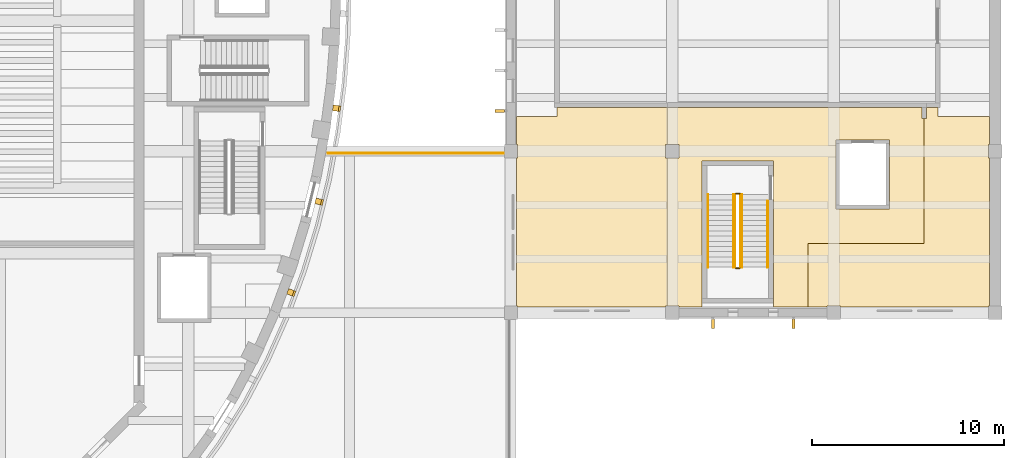
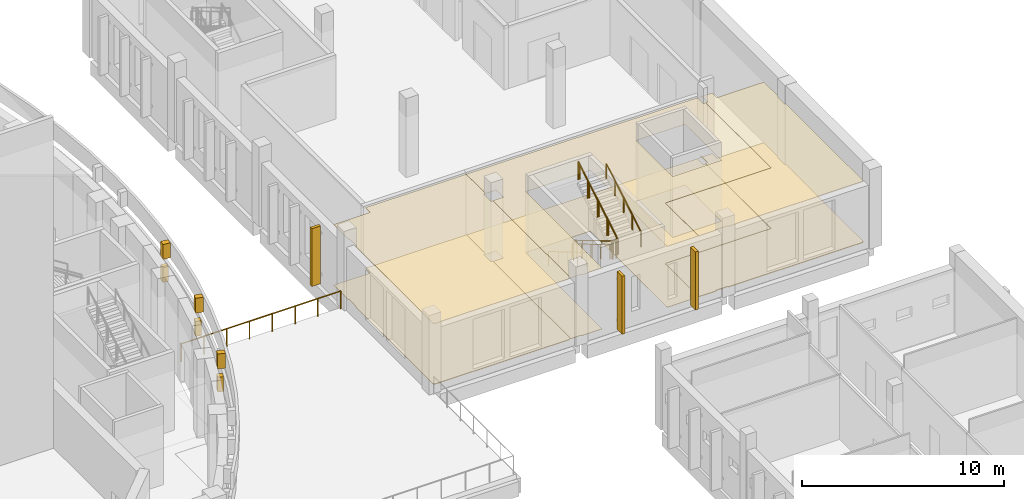
# One storey, part 115 of 119: 15 coverings, 9 railings.
"""IFC4 building model written with IfcOpenShell, lengths in metres."""

import ifcopenshell
import ifcopenshell.guid

model = None  # the IFC model being written
_history = None  # IfcOwnerHistory: only IFC2X3 demands one
_inside = {}  # id of a spatial element -> (the spatial element, [elements in it])
_under = {}  # id of a project, library or spatial element -> (it, [spatial elements below it])
_declared = {}  # id of a project -> (the project, [libraries it declares])
_typed = {}  # id of a type object -> (the type object, [elements of that type])
_made_of = {}  # id of a material, layer set ... -> (it, [elements and type objects made of it])


def new_model(schema):
    """Start an empty IFC model of exactly this schema.

    Asked for "IFC4X3", IfcOpenShell would pick the latest addendum, in which some entities
    have other attributes; the version numbers below select the first issue.
    IFC2X3 requires an IfcOwnerHistory on every rooted entity: one is made here for all.
    """
    global model, _history
    if schema == "IFC4X3":
        model = ifcopenshell.file(schema_version=(4, 3, 0, 0))
    else:
        model = ifcopenshell.file(schema=schema)
    _inside.clear()
    _under.clear()
    _declared.clear()
    _typed.clear()
    _made_of.clear()
    _history = None
    if model.schema == "IFC2X3":
        org = make("IfcOrganization", Name="unknown")
        user = make(
            "IfcPersonAndOrganization",
            ThePerson=make("IfcPerson", FamilyName="unknown"),
            TheOrganization=org,
        )
        app = make(
            "IfcApplication",
            ApplicationDeveloper=org,
            Version="unknown",
            ApplicationFullName="unknown",
            ApplicationIdentifier="unknown",
        )
        _history = make(
            "IfcOwnerHistory",
            OwningUser=user,
            OwningApplication=app,
            ChangeAction="ADDED",
            CreationDate=0,
        )
    return model


def make(cls, **values):
    """One entity of the class cls with the attributes given. An attribute that is None is left unset."""
    return model.create_entity(
        cls, **{name: value for name, value in values.items() if value is not None}
    )


def rooted(cls, **values):
    """An entity with a GlobalId (a new one), such as an element, a storey or a relation."""
    return make(cls, GlobalId=ifcopenshell.guid.new(), OwnerHistory=_history, **values)


def si_unit(unit_type, name, prefix=None):
    """IfcSIUnit, for example si_unit("LENGTHUNIT", "METRE", prefix="MILLI")."""
    return make("IfcSIUnit", UnitType=unit_type, Prefix=prefix, Name=name)


def assignment(units):
    """IfcUnitAssignment: the units of a project."""
    return None if units is None else make("IfcUnitAssignment", Units=units)


def point(xyz):
    """IfcCartesianPoint."""
    return None if xyz is None else make("IfcCartesianPoint", Coordinates=xyz)


def direction(xyz):
    """IfcDirection."""
    return None if xyz is None else make("IfcDirection", DirectionRatios=xyz)


def frame(location, z_axis=None, x_axis=None):
    """IfcAxis2Placement3D, a coordinate frame: its origin and axes. An axis left out is left unset."""
    return make(
        "IfcAxis2Placement3D",
        Location=point(location),
        Axis=direction(z_axis),
        RefDirection=direction(x_axis),
    )


def frame_2d(location, x_axis=None):
    """IfcAxis2Placement2D, a coordinate frame in the plane: its origin and x axis."""
    return make(
        "IfcAxis2Placement2D", Location=point(location), RefDirection=direction(x_axis)
    )


def origin():
    """The frame at (0, 0, 0) with its axes left unset."""
    return frame((0.0, 0.0, 0.0))


def origin_2d():
    """The frame at (0, 0) in the plane with its x axis left unset."""
    return frame_2d((0.0, 0.0))


def place(relative_to, where):
    """IfcLocalPlacement: puts the frame where relative to a parent placement (None: the world)."""
    return make(
        "IfcLocalPlacement", PlacementRelTo=relative_to, RelativePlacement=where
    )


def context(
    kind, dimensions, precision=None, world=None, true_north=None, identifier=None
):
    """IfcGeometricRepresentationContext, for example the 3D "Model" context."""
    return make(
        "IfcGeometricRepresentationContext",
        ContextIdentifier=identifier,
        ContextType=kind,
        CoordinateSpaceDimension=dimensions,
        Precision=precision,
        WorldCoordinateSystem=world,
        TrueNorth=true_north,
    )


def subcontext(parent, identifier, kind, view, scale=None):
    """IfcGeometricRepresentationSubContext, for example "Body" below "Model"."""
    return make(
        "IfcGeometricRepresentationSubContext",
        ContextIdentifier=identifier,
        ContextType=kind,
        ParentContext=parent,
        TargetScale=scale,
        TargetView=view,
    )


def project(units=None, contexts=None):
    """IfcProject with its units and contexts."""
    return rooted(
        "IfcProject",
        Name="project",
        RepresentationContexts=contexts,
        UnitsInContext=assignment(units),
    )


def spatial(cls, under=None, at=None, **own):
    """A site, building, storey or space (cls), placed at a placement, below another one or the project."""
    s = rooted(cls, ObjectPlacement=at, **own)
    if under is not None:
        _under.setdefault(under.id(), (under, []))[1].append(s)
    return s


def polyline(points):
    """IfcPolyline through the points."""
    return make("IfcPolyline", Points=[point(p) for p in points])


def profile(cls, at=None, kind="AREA", **sizes):
    """A parametric profile (cls). Its sizes go by their IFC names, for example OverallWidth=200.0."""
    return make(cls, ProfileType=kind, Position=at, **sizes)


def rectangle(**sizes):
    """IfcRectangleProfileDef."""
    return profile("IfcRectangleProfileDef", **sizes)


def circle(**sizes):
    """IfcCircleProfileDef."""
    return profile("IfcCircleProfileDef", **sizes)


def outline(outer, holes=None, kind="AREA"):
    """IfcArbitraryClosedProfileDef: a profile drawn as a closed curve; with holes, ...WithVoids."""
    if holes is None:
        return make("IfcArbitraryClosedProfileDef", ProfileType=kind, OuterCurve=outer)
    return make(
        "IfcArbitraryProfileDefWithVoids",
        ProfileType=kind,
        OuterCurve=outer,
        InnerCurves=holes,
    )


def extrude(swept, where, along, depth):
    """IfcExtrudedAreaSolid: the profile swept, set in the frame where, extruded along a direction by depth."""
    return make(
        "IfcExtrudedAreaSolid",
        SweptArea=swept,
        Position=where,
        ExtrudedDirection=direction(along),
        Depth=depth,
    )


def shape(context_of_items, identifier, shape_type, items):
    """IfcShapeRepresentation: the items that make up one representation, for example the "Body"."""
    return make(
        "IfcShapeRepresentation",
        ContextOfItems=context_of_items,
        RepresentationIdentifier=identifier,
        RepresentationType=shape_type,
        Items=items,
    )


def material(Name=None, Category=None):
    """IfcMaterial."""
    return make("IfcMaterial", Name=Name, Category=Category)


def layer(
    of_material, thickness, ventilated=None, Name=None, Category=None, Priority=None
):
    """IfcMaterialLayer: one layer of a wall or slab, of a material (None: an air gap)."""
    return make(
        "IfcMaterialLayer",
        Material=of_material,
        LayerThickness=thickness,
        IsVentilated=ventilated,
        Name=Name,
        Category=Category,
        Priority=Priority,
    )


def layer_set(layers, Name=None):
    """IfcMaterialLayerSet."""
    return make("IfcMaterialLayerSet", MaterialLayers=layers, LayerSetName=Name)


def made_of(thing, what):
    """Note that an element or type object is made of a material, layer set ...; save() writes the relation."""
    if what is not None:
        _made_of.setdefault(what.id(), (what, []))[1].append(thing)
    return thing


def type_object(cls, material=None, **own):
    """A type object (cls), such as IfcWallType, which elements share."""
    return made_of(rooted(cls, **own), material)


def element(
    cls,
    number,
    at=None,
    inside=None,
    cuts=None,
    type_object=None,
    material=None,
    context=None,
    identifier="Body",
    shape_type=None,
    held_by="IfcProductDefinitionShape",
    body=None,
    shapes=None,
    **own,
):
    """One element of the class cls, such as IfcWall. Its Tag is "e" and its number.

    at: its placement. inside: the storey or other place that contains it. cuts: it is an
    opening in that element (IfcRelVoidsElement). A single representation is given by context,
    identifier, shape_type and body (its items); several are given by shapes. held_by: the class
    of the entity that holds the representations. save() writes the other relations.
    """
    e = rooted(cls, Tag="e%d" % number, ObjectPlacement=at, **own)
    if body is not None:
        shapes = [shape(context, identifier, shape_type, body)]
    if shapes is not None:
        e.Representation = make(held_by, Representations=shapes)
    if inside is not None:
        _inside.setdefault(inside.id(), (inside, []))[1].append(e)
    if cuts is not None:
        rooted(
            "IfcRelVoidsElement", RelatingBuildingElement=cuts, RelatedOpeningElement=e
        )
    if type_object is not None:
        _typed.setdefault(type_object.id(), (type_object, []))[1].append(e)
    return made_of(e, material)


def aggregate(whole, parts):
    """IfcRelAggregates: a whole, such as a stair, and the parts it consists of."""
    return rooted("IfcRelAggregates", RelatingObject=whole, RelatedObjects=parts)


def save(model, path):
    """Write the relations noted so far, then the file.

    IfcRelAggregates (storeys below a building ...), IfcRelContainedInSpatialStructure (elements
    in a storey), IfcRelDefinesByType, IfcRelAssociatesMaterial and IfcRelDeclares: one each for
    every whole, place, type object, material and project.
    """
    for whole, parts in _under.values():
        aggregate(whole, parts)
    for where, things in _inside.values():
        rooted(
            "IfcRelContainedInSpatialStructure",
            RelatedElements=things,
            RelatingStructure=where,
        )
    for kind, things in _typed.values():
        rooted("IfcRelDefinesByType", RelatedObjects=things, RelatingType=kind)
    for what, things in _made_of.values():
        rooted("IfcRelAssociatesMaterial", RelatedObjects=things, RelatingMaterial=what)
    for by, libraries in _declared.values():
        rooted("IfcRelDeclares", RelatingContext=by, RelatedDefinitions=libraries)
    model.write(path)


model = new_model("IFC4")

# Units and contexts
model_context = context("Model", 3, precision=1e-05, world=origin(), true_north=direction((0.0, 1.0)))
body_context = subcontext(model_context, "Body", "Model", "MODEL_VIEW")
ifc_project = project(units=[si_unit("LENGTHUNIT", "METRE"), si_unit("AREAUNIT", "SQUARE_METRE"), si_unit("VOLUMEUNIT", "CUBIC_METRE"), si_unit("PLANEANGLEUNIT", "RADIAN"), si_unit("MASSUNIT", "GRAM", prefix="KILO")], contexts=[model_context])

# Site, building, storey
site_placement = place(None, origin())
site = spatial("IfcSite", under=ifc_project, at=site_placement, CompositionType="ELEMENT")
building_placement = place(site_placement, origin())
building = spatial("IfcBuilding", under=site, at=building_placement, Name="Larchfold Concert Hall", CompositionType="ELEMENT")
storey_placement = place(building_placement, frame((0.0, 0.0, 4.800048828125)))
storey = spatial("IfcBuildingStorey", under=building, at=storey_placement, Name="L01", CompositionType="ELEMENT", Elevation=4.800048828125)

# Coverings
ifc_material_1 = material(Name="Mineral fibre ceiling tile")
ifc_layer_1 = layer(ifc_material_1, 0.02001953125)
ifc_layer_set_1 = layer_set([ifc_layer_1], Name="Mineral fibre ceiling tile")
covering_type_1 = type_object("IfcCoveringType", Name="Ceiling mineral fibre tile 20", PredefinedType="CEILING", material=ifc_layer_set_1)
covering_1_placement = place(storey_placement, frame((0.0, 0.0, 3.679931640625)))
element("IfcCovering", 1, at=covering_1_placement, inside=storey, type_object=covering_type_1, Name="Ceiling Corridor 04", PredefinedType="CEILING", context=body_context, shape_type="SweptSolid", body=[
    extrude(outline(polyline([(86.14990234375, 75.699951171875), (89.85009765625, 75.699951171875), (89.858154296875, 68.10009765625), (91.649169921875, 68.10009765625), (91.649658203125, 71.40087890625), (97.698974609375, 71.40087890625), (97.698974609375, 77.905029296875), (97.57373046875, 77.9052734375), (97.57470703125, 78.47021484375), (97.698974609375, 78.469970703125), (97.698974609375, 78.47412109375), (84.35009765625, 78.487060546875), (84.350341796875, 76.550048828125), (84.9501953125, 76.550048828125), (84.9501953125, 75.849853515625), (84.350341796875, 75.849853515625), (84.350830078125, 68.150146484375), (84.9501953125, 68.150146484375), (84.9501953125, 68.10009765625), (86.141845703125, 68.10009765625), (86.14990234375, 75.699951171875)]), holes=[polyline([(93.10009765625, 73.199951171875), (93.10009765625, 76.800048828125), (95.89990234375, 76.800048828125), (95.89990234375, 73.199951171875), (93.10009765625, 73.199951171875)])]), origin(), (0.0, 0.0, 1.0), 0.02001953125),
])
ifc_material_2 = material(Name="Plasterboard ceiling lining")
ifc_layer_2 = layer(ifc_material_2, 0.030029296875)
ifc_layer_set_2 = layer_set([ifc_layer_2], Name="Plasterboard ceiling lining")
covering_type_2 = type_object("IfcCoveringType", Name="Ceiling suspended plasterboard 30", PredefinedType="CEILING", material=ifc_layer_set_2)
covering_2_placement = place(storey_placement, frame((0.0, 0.0, 3.669921875)))
element("IfcCovering", 2, at=covering_2_placement, inside=storey, type_object=covering_type_2, Name="Ceiling Chamber Hall Foyer", PredefinedType="CEILING", context=body_context, shape_type="SweptSolid", body=[
    extrude(outline(polyline([(76.550048828125, 68.10009765625), (84.25, 68.10009765625), (84.25, 68.150146484375), (84.349853515625, 68.150146484375), (84.35693359375, 75.849853515625), (84.25, 75.849853515625), (84.25, 76.550048828125), (84.357421875, 76.550048828125), (84.359375, 78.487060546875), (84.349853515625, 78.487060546875), (84.35009765625, 78.607666015625), (84.34912109375, 78.47607421875), (78.596435546875, 78.47607421875), (78.588134765625, 78.0), (76.5, 78.0), (76.5, 76.550048828125), (76.550048828125, 76.550048828125), (76.550048828125, 75.849853515625), (76.5, 75.849853515625), (76.5, 68.150146484375), (76.550048828125, 68.150146484375), (76.550048828125, 68.10009765625)])), origin(), (0.0, 0.0, 1.0), 0.030029296875),
])
covering_3_placement = place(storey_placement, frame((0.0, 0.0, 3.669921875)))
element("IfcCovering", 3, at=covering_3_placement, inside=storey, type_object=covering_type_2, Name="Ceiling Chamber Hall Foyer 01", PredefinedType="CEILING", context=body_context, shape_type="SweptSolid", body=[
    extrude(outline(polyline([(97.699951171875, 77.905029296875), (97.699951171875, 71.39990234375), (91.650146484375, 71.39990234375), (91.650146484375, 68.10009765625), (92.64990234375, 68.10009765625), (92.64990234375, 68.150146484375), (93.35009765625, 68.150146484375), (93.35009765625, 68.10009765625), (101.0498046875, 68.10009765625), (101.0498046875, 68.150146484375), (101.099853515625, 68.150146484375), (101.099853515625, 75.849853515625), (101.0498046875, 75.849853515625), (101.0498046875, 76.550048828125), (101.099853515625, 76.550048828125), (101.099853515625, 78.0), (98.411865234375, 78.0), (98.408447265625, 78.475830078125), (97.8251953125, 78.47509765625), (97.823974609375, 78.611572265625), (97.82373046875, 78.473876953125), (97.699951171875, 78.473876953125), (97.699951171875, 78.469970703125), (97.82470703125, 78.4697265625), (97.82373046875, 77.90478515625), (97.699951171875, 77.905029296875)])), origin(), (0.0, 0.0, 1.0), 0.030029296875),
])
ifc_material_3 = material(Name="Polished terrazzo")
ifc_layer_3 = layer(ifc_material_3, 0.0400390625)
ifc_layer_set_3 = layer_set([ifc_layer_3], Name="Polished terrazzo")
covering_type_3 = type_object("IfcCoveringType", Name="Floor finish terrazzo 40", PredefinedType="FLOORING", material=ifc_layer_set_3)
covering_4_placement = place(storey_placement, origin())
element("IfcCovering", 4, at=covering_4_placement, inside=storey, type_object=covering_type_3, Name="Floor finish Chamber Hall Foyer", PredefinedType="FLOORING", context=body_context, shape_type="SweptSolid", body=[
    extrude(outline(polyline([(76.550048828125, 68.10009765625), (84.25, 68.10009765625), (84.25, 68.150146484375), (84.349853515625, 68.150146484375), (84.35693359375, 75.849853515625), (84.25, 75.849853515625), (84.25, 76.550048828125), (84.357421875, 76.550048828125), (84.359375, 78.487060546875), (84.349853515625, 78.487060546875), (84.35009765625, 78.607666015625), (84.34912109375, 78.47607421875), (78.596435546875, 78.47607421875), (78.588134765625, 78.0), (76.5, 78.0), (76.5, 76.550048828125), (76.550048828125, 76.550048828125), (76.550048828125, 75.849853515625), (76.5, 75.849853515625), (76.5, 68.150146484375), (76.550048828125, 68.150146484375), (76.550048828125, 68.10009765625)])), origin(), (0.0, 0.0, 1.0), 0.0400390625),
])
covering_5_placement = place(storey_placement, origin())
element("IfcCovering", 5, at=covering_5_placement, inside=storey, type_object=covering_type_3, Name="Floor finish Chamber Hall Foyer 01", PredefinedType="FLOORING", context=body_context, shape_type="SweptSolid", body=[
    extrude(outline(polyline([(97.699951171875, 77.905029296875), (97.699951171875, 71.39990234375), (91.650146484375, 71.39990234375), (91.650146484375, 68.10009765625), (92.64990234375, 68.10009765625), (92.64990234375, 68.150146484375), (93.35009765625, 68.150146484375), (93.35009765625, 68.10009765625), (101.0498046875, 68.10009765625), (101.0498046875, 68.150146484375), (101.099853515625, 68.150146484375), (101.099853515625, 75.849853515625), (101.0498046875, 75.849853515625), (101.0498046875, 76.550048828125), (101.099853515625, 76.550048828125), (101.099853515625, 78.0), (98.411865234375, 78.0), (98.408447265625, 78.475830078125), (97.8251953125, 78.47509765625), (97.823974609375, 78.611572265625), (97.82373046875, 78.473876953125), (97.699951171875, 78.473876953125), (97.699951171875, 78.469970703125), (97.82470703125, 78.4697265625), (97.82373046875, 77.90478515625), (97.699951171875, 77.905029296875)])), origin(), (0.0, 0.0, 1.0), 0.0400390625),
])
ifc_material_4 = material(Name="Linoleum sheet")
ifc_layer_4 = layer(ifc_material_4, 0.02001953125)
ifc_layer_set_4 = layer_set([ifc_layer_4], Name="Linoleum sheet")
covering_type_4 = type_object("IfcCoveringType", Name="Floor finish vinyl 20", PredefinedType="FLOORING", material=ifc_layer_set_4)
covering_6_placement = place(storey_placement, origin())
element("IfcCovering", 6, at=covering_6_placement, inside=storey, type_object=covering_type_4, Name="Floor finish Corridor 04", PredefinedType="FLOORING", context=body_context, shape_type="SweptSolid", body=[
    extrude(outline(polyline([(86.14990234375, 75.699951171875), (89.85009765625, 75.699951171875), (89.858154296875, 68.10009765625), (91.649169921875, 68.10009765625), (91.649658203125, 71.40087890625), (97.698974609375, 71.40087890625), (97.698974609375, 77.905029296875), (97.57373046875, 77.9052734375), (97.57470703125, 78.47021484375), (97.698974609375, 78.469970703125), (97.698974609375, 78.47412109375), (84.35009765625, 78.487060546875), (84.350341796875, 76.550048828125), (84.9501953125, 76.550048828125), (84.9501953125, 75.849853515625), (84.350341796875, 75.849853515625), (84.350830078125, 68.150146484375), (84.9501953125, 68.150146484375), (84.9501953125, 68.10009765625), (86.141845703125, 68.10009765625), (86.14990234375, 75.699951171875)]), holes=[polyline([(93.10009765625, 73.199951171875), (93.10009765625, 76.800048828125), (95.89990234375, 76.800048828125), (95.89990234375, 73.199951171875), (93.10009765625, 73.199951171875)])]), origin(), (0.0, 0.0, 1.0), 0.02001953125),
])
ifc_material_5 = material(Name="Glulam GL30c", Category="wood")
ifc_layer_5 = layer(ifc_material_5, 0.159912109375)
ifc_layer_set_5 = layer_set([ifc_layer_5], Name="Glulam GL30c")
covering_type_5 = type_object("IfcCoveringType", Name="Glulam fin 160x500", PredefinedType="CLADDING", material=ifc_layer_set_5)
covering_7_placement = place(storey_placement, frame((0.0, 0.0, 0.199951171875)))
element("IfcCovering", 7, at=covering_7_placement, inside=storey, type_object=covering_type_5, Name="Glulam fin FN-L01-042", PredefinedType="CLADDING", context=body_context, shape_type="SweptSolid", body=[
    extrude(outline(polyline([(75.875, 78.219970703125), (75.875, 78.3798828125), (75.375, 78.3798828125), (75.375, 78.219970703125), (75.875, 78.219970703125)])), origin(), (0.0, 0.0, 1.0), 3.5),
])
covering_8_placement = place(storey_placement, frame((0.0, 0.0, 0.199951171875)))
element("IfcCovering", 8, at=covering_8_placement, inside=storey, type_object=covering_type_5, Name="Glulam fin FN-L01-045", PredefinedType="CLADDING", context=body_context, shape_type="SweptSolid", body=[
    extrude(outline(polyline([(86.780029296875, 66.97509765625), (86.780029296875, 67.47509765625), (86.6201171875, 67.47509765625), (86.6201171875, 66.97509765625), (86.780029296875, 66.97509765625)])), origin(), (0.0, 0.0, 1.0), 3.5),
])
covering_9_placement = place(storey_placement, frame((0.0, 0.0, 0.199951171875)))
element("IfcCovering", 9, at=covering_9_placement, inside=storey, type_object=covering_type_5, Name="Glulam fin FN-L01-046", PredefinedType="CLADDING", context=body_context, shape_type="SweptSolid", body=[
    extrude(outline(polyline([(90.97998046875, 66.97509765625), (90.97998046875, 67.47509765625), (90.820068359375, 67.47509765625), (90.820068359375, 66.97509765625), (90.97998046875, 66.97509765625)])), origin(), (0.0, 0.0, 1.0), 3.5),
])
ifc_material_6 = material(Name="Galvanised steel bracket", Category="steel")
ifc_layer_6 = layer(ifc_material_6, 0.300048828125)
ifc_layer_set_6 = layer_set([ifc_layer_6], Name="Galvanised steel bracket")
covering_type_6 = type_object("IfcCoveringType", Name="Ring support bracket", PredefinedType="CLADDING", material=ifc_layer_set_6)
for number, where, z_axis, x_axis, name in (
    (10, (64.72607421875, 68.86669921875, 3.35009765625), (0.0, 0.0, 1.0), (0.937177411386, -0.348853120364, 0.0), "Ring bracket BR-R01-30"),
    (11, (66.174072265625, 73.590087890625, 3.35009765625), (0.0, 0.0, 1.0), (0.971411707345, -0.237401126438, 0.0), "Ring bracket BR-R01-31"),
    (12, (67.082275390625, 78.44384765625, 3.35009765625), (0.0, 0.0, 1.0), (0.991449907596, -0.130487856632, 0.0), "Ring bracket BR-R01-32"),
):
    element("IfcCovering", number, at=place(storey_placement, frame(where, z_axis=z_axis, x_axis=x_axis)), inside=storey, type_object=covering_type_6, Name=name, PredefinedType="CLADDING", context=body_context, shape_type="SweptSolid", body=[
        extrude(rectangle(XDim=0.300048828125, YDim=0.300048828125, at=origin_2d()), origin(), (0.0, 0.0, 1.0), 0.89990234375),
    ])
for number, where, z_axis, x_axis, name in (
    (13, (64.77294921875, 68.849365234375, 4.75), (0.0, 0.0, 1.0), (0.937177411386, -0.348853120364, 0.0), "Ring bracket BR-R02-30"),
    (14, (66.22265625, 73.578369140625, 4.75), (0.0, 0.0, 1.0), (0.971411707345, -0.237401126438, 0.0), "Ring bracket BR-R02-31"),
    (15, (67.1318359375, 78.4375, 4.75), (0.0, 0.0, 1.0), (0.991449907596, -0.130487856632, 0.0), "Ring bracket BR-R02-32"),
):
    element("IfcCovering", number, at=place(storey_placement, frame(where, z_axis=z_axis, x_axis=x_axis)), inside=storey, type_object=covering_type_6, Name=name, PredefinedType="CLADDING", context=body_context, shape_type="SweptSolid", body=[
        extrude(rectangle(XDim=0.39990234375, YDim=0.300048828125, at=origin_2d()), origin(), (0.0, 0.0, 1.0), 0.89990234375),
    ])

# Railings
ifc_material_7 = material(Name="Graphite painted steel guard", Category="steel")
railing_type_1 = type_object("IfcRailingType", Name="Roof guard 1100", PredefinedType="GUARDRAIL", material=ifc_material_7)
railing_1_placement = place(storey_placement, frame((66.681640625, 76.099853515625, 0.0)))
element("IfcRailing", 16, at=railing_1_placement, inside=storey, type_object=railing_type_1, Name="Terrace guard GR0012", PredefinedType="GUARDRAIL", context=body_context, shape_type="SweptSolid", body=[
    extrude(circle(Radius=0.02392578125, at=origin_2d()), frame((0.0, 0.0, 1.076171875), z_axis=(1.0, 0.0, 0.0), x_axis=(0.0, 1.0, 0.0)), (0.0, 0.0, 1.0), 9.118408203125),
    extrude(circle(Radius=0.02099609375, at=origin_2d()), origin(), (0.0, 0.0, 1.0), 1.052001953125),
    extrude(circle(Radius=0.02099609375, at=origin_2d()), frame((1.302734375, 0.0, 0.0)), (0.0, 0.0, 1.0), 1.052001953125),
    extrude(circle(Radius=0.02099609375, at=origin_2d()), frame((2.605224609375, 0.0, 0.0)), (0.0, 0.0, 1.0), 1.052001953125),
    extrude(circle(Radius=0.02099609375, at=origin_2d()), frame((3.907958984375, 0.0, 0.0)), (0.0, 0.0, 1.0), 1.052001953125),
    extrude(circle(Radius=0.02099609375, at=origin_2d()), frame((5.21044921875, 0.0, 0.0)), (0.0, 0.0, 1.0), 1.052001953125),
    extrude(circle(Radius=0.02099609375, at=origin_2d()), frame((6.51318359375, 0.0, 0.0)), (0.0, 0.0, 1.0), 1.052001953125),
    extrude(circle(Radius=0.02099609375, at=origin_2d()), frame((7.815673828125, 0.0, 0.0)), (0.0, 0.0, 1.0), 1.052001953125),
    extrude(circle(Radius=0.02099609375, at=origin_2d()), frame((9.118408203125, 0.0, 0.0)), (0.0, 0.0, 1.0), 1.052001953125),
])
ifc_material_8 = material(Name="Stainless steel balustrade", Category="steel")
railing_type_2 = type_object("IfcRailingType", Name="Stair guard 1100", PredefinedType="GUARDRAIL", material=ifc_material_8)
railing_2_placement = place(storey_placement, frame((87.849853515625, 73.949951171875, 0.159912109375)))
element("IfcRailing", 17, at=railing_2_placement, inside=storey, type_object=railing_type_2, Name="Guard GR0063", PredefinedType="GUARDRAIL", context=body_context, shape_type="SweptSolid", body=[
    extrude(circle(Radius=0.02392578125, at=origin_2d()), frame((0.0, 0.0, 1.076171875), z_axis=(0.0, -0.860294241299, 0.509797821089), x_axis=(1.0, 0.0, 0.0)), (0.0, 0.0, 1.0), 4.393798828125),
    extrude(circle(Radius=0.02099609375, at=origin_2d()), origin(), (0.0, 0.0, 1.0), 1.052001953125),
    extrude(circle(Radius=0.02099609375, at=origin_2d()), frame((0.0, -0.945068359375, 0.56005859375)), (0.0, 0.0, 1.0), 1.052001953125),
    extrude(circle(Radius=0.02099609375, at=origin_2d()), frame((0.0, -1.89013671875, 1.1201171875)), (0.0, 0.0, 1.0), 1.052001953125),
    extrude(circle(Radius=0.02099609375, at=origin_2d()), frame((0.0, -2.8349609375, 1.679931640625)), (0.0, 0.0, 1.0), 1.052001953125),
    extrude(circle(Radius=0.02099609375, at=origin_2d()), frame((0.0, -3.780029296875, 2.239990234375)), (0.0, 0.0, 1.0), 1.052001953125),
])
railing_3_placement = place(storey_placement, frame((87.89990234375, 70.119873046875, 2.39990234375)))
element("IfcRailing", 18, at=railing_3_placement, inside=storey, type_object=railing_type_2, Name="Guard GR0064", PredefinedType="GUARDRAIL", context=body_context, shape_type="SweptSolid", body=[
    extrude(circle(Radius=0.02392578125, at=origin_2d()), frame((0.0, 0.0, 1.076171875), z_axis=(1.0, 0.0, 0.0), x_axis=(0.0, 1.0, 0.0)), (0.0, 0.0, 1.0), 0.199951171875),
    extrude(circle(Radius=0.02099609375, at=origin_2d()), origin(), (0.0, 0.0, 1.0), 1.052001953125),
    extrude(circle(Radius=0.02099609375, at=origin_2d()), frame((0.199951171875, 0.0, 0.0)), (0.0, 0.0, 1.0), 1.052001953125),
])
railing_4_placement = place(storey_placement, frame((88.14990234375, 70.169921875, 2.56005859375)))
element("IfcRailing", 19, at=railing_4_placement, inside=storey, type_object=railing_type_2, Name="Guard GR0065", PredefinedType="GUARDRAIL", context=body_context, shape_type="SweptSolid", body=[
    extrude(circle(Radius=0.02392578125, at=origin_2d()), frame((0.0, 0.0, 1.076171875), z_axis=(0.0, 0.860294241299, 0.509797821089), x_axis=(-1.0, 0.0, 0.0)), (0.0, 0.0, 1.0), 4.393798828125),
    extrude(circle(Radius=0.02099609375, at=origin_2d()), origin(), (0.0, 0.0, 1.0), 1.052001953125),
    extrude(circle(Radius=0.02099609375, at=origin_2d()), frame((0.0, 0.945068359375, 0.56005859375)), (0.0, 0.0, 1.0), 1.052001953125),
    extrude(circle(Radius=0.02099609375, at=origin_2d()), frame((0.0, 1.89013671875, 1.1201171875)), (0.0, 0.0, 1.0), 1.052001953125),
    extrude(circle(Radius=0.02099609375, at=origin_2d()), frame((0.0, 2.8349609375, 1.679931640625)), (0.0, 0.0, 1.0), 1.052001953125),
    extrude(circle(Radius=0.02099609375, at=origin_2d()), frame((0.0, 3.780029296875, 2.239990234375)), (0.0, 0.0, 1.0), 1.052001953125),
])
railing_5_placement = place(storey_placement, frame((87.89990234375, 74.0, 0.0)))
element("IfcRailing", 20, at=railing_5_placement, inside=storey, type_object=railing_type_2, Name="Guard GR0066", PredefinedType="GUARDRAIL", context=body_context, shape_type="SweptSolid", body=[
    extrude(circle(Radius=0.02392578125, at=origin_2d()), frame((0.0, 0.0, 1.076171875), z_axis=(1.0, 0.0, 0.0), x_axis=(0.0, 1.0, 0.0)), (0.0, 0.0, 1.0), 0.199951171875),
    extrude(circle(Radius=0.02099609375, at=origin_2d()), origin(), (0.0, 0.0, 1.0), 1.052001953125),
    extrude(circle(Radius=0.02099609375, at=origin_2d()), frame((0.199951171875, 0.0, 0.0)), (0.0, 0.0, 1.0), 1.052001953125),
])
ifc_material_9 = material(Name="Stainless steel handrail", Category="steel")
railing_type_3 = type_object("IfcRailingType", Name="Stair handrail 900", PredefinedType="HANDRAIL", material=ifc_material_9)
railing_6_placement = place(storey_placement, frame((86.449951171875, 73.949951171875, 0.159912109375)))
element("IfcRailing", 21, at=railing_6_placement, inside=storey, type_object=railing_type_3, Name="Handrail HR0061", PredefinedType="HANDRAIL", context=body_context, shape_type="SweptSolid", body=[
    extrude(circle(Radius=0.02392578125, at=origin_2d()), frame((0.0, 0.0, 0.8759765625), z_axis=(0.0, -0.860294241299, 0.509797821089), x_axis=(1.0, 0.0, 0.0)), (0.0, 0.0, 1.0), 4.393798828125),
    extrude(circle(Radius=0.02099609375, at=origin_2d()), origin(), (0.0, 0.0, 1.0), 0.851806640625),
    extrude(circle(Radius=0.02099609375, at=origin_2d()), frame((0.0, -0.945068359375, 0.56005859375)), (0.0, 0.0, 1.0), 0.851806640625),
    extrude(circle(Radius=0.02099609375, at=origin_2d()), frame((0.0, -1.89013671875, 1.1201171875)), (0.0, 0.0, 1.0), 0.851806640625),
    extrude(circle(Radius=0.02099609375, at=origin_2d()), frame((0.0, -2.8349609375, 1.679931640625)), (0.0, 0.0, 1.0), 0.851806640625),
    extrude(circle(Radius=0.02099609375, at=origin_2d()), frame((0.0, -3.780029296875, 2.239990234375)), (0.0, 0.0, 1.0), 0.851806640625),
])
railing_7_placement = place(storey_placement, frame((89.5498046875, 70.169921875, 2.56005859375)))
element("IfcRailing", 22, at=railing_7_placement, inside=storey, type_object=railing_type_3, Name="Handrail HR0062", PredefinedType="HANDRAIL", context=body_context, shape_type="SweptSolid", body=[
    extrude(circle(Radius=0.02392578125, at=origin_2d()), frame((0.0, 0.0, 0.8759765625), z_axis=(0.0, 0.860316398594, 0.509760428348), x_axis=(-1.0, 0.0, 0.0)), (0.0, 0.0, 1.0), 3.987060546875),
    extrude(circle(Radius=0.02099609375, at=origin_2d()), origin(), (0.0, 0.0, 1.0), 0.851806640625),
    extrude(circle(Radius=0.02099609375, at=origin_2d()), frame((0.0, 0.857421875, 0.508056640625)), (0.0, 0.0, 1.0), 0.851806640625),
    extrude(circle(Radius=0.02099609375, at=origin_2d()), frame((0.0, 1.715087890625, 1.01611328125)), (0.0, 0.0, 1.0), 0.851806640625),
    extrude(circle(Radius=0.02099609375, at=origin_2d()), frame((0.0, 2.57275390625, 1.5244140625)), (0.0, 0.0, 1.0), 0.851806640625),
    extrude(circle(Radius=0.02099609375, at=origin_2d()), frame((0.0, 3.43017578125, 2.032470703125)), (0.0, 0.0, 1.0), 0.851806640625),
])
railing_8_placement = place(storey_placement, frame((87.77978515625, 73.949951171875, 0.159912109375)))
element("IfcRailing", 23, at=railing_8_placement, inside=storey, type_object=railing_type_3, Name="Handrail HR0063", PredefinedType="HANDRAIL", context=body_context, shape_type="SweptSolid", body=[
    extrude(circle(Radius=0.02392578125, at=origin_2d()), frame((0.0, 0.0, 0.8759765625), z_axis=(0.0, -0.860294241299, 0.509797821089), x_axis=(1.0, 0.0, 0.0)), (0.0, 0.0, 1.0), 4.393798828125),
    extrude(circle(Radius=0.02099609375, at=origin_2d()), origin(), (0.0, 0.0, 1.0), 0.851806640625),
    extrude(circle(Radius=0.02099609375, at=origin_2d()), frame((0.0, -0.945068359375, 0.56005859375)), (0.0, 0.0, 1.0), 0.851806640625),
    extrude(circle(Radius=0.02099609375, at=origin_2d()), frame((0.0, -1.89013671875, 1.1201171875)), (0.0, 0.0, 1.0), 0.851806640625),
    extrude(circle(Radius=0.02099609375, at=origin_2d()), frame((0.0, -2.8349609375, 1.679931640625)), (0.0, 0.0, 1.0), 0.851806640625),
    extrude(circle(Radius=0.02099609375, at=origin_2d()), frame((0.0, -3.780029296875, 2.239990234375)), (0.0, 0.0, 1.0), 0.851806640625),
])
railing_9_placement = place(storey_placement, frame((88.219970703125, 70.169921875, 2.56005859375)))
element("IfcRailing", 24, at=railing_9_placement, inside=storey, type_object=railing_type_3, Name="Handrail HR0064", PredefinedType="HANDRAIL", context=body_context, shape_type="SweptSolid", body=[
    extrude(circle(Radius=0.02392578125, at=origin_2d()), frame((0.0, 0.0, 0.8759765625), z_axis=(0.0, 0.860294241299, 0.509797821089), x_axis=(-1.0, 0.0, 0.0)), (0.0, 0.0, 1.0), 4.393798828125),
    extrude(circle(Radius=0.02099609375, at=origin_2d()), origin(), (0.0, 0.0, 1.0), 0.851806640625),
    extrude(circle(Radius=0.02099609375, at=origin_2d()), frame((0.0, 0.945068359375, 0.56005859375)), (0.0, 0.0, 1.0), 0.851806640625),
    extrude(circle(Radius=0.02099609375, at=origin_2d()), frame((0.0, 1.89013671875, 1.1201171875)), (0.0, 0.0, 1.0), 0.851806640625),
    extrude(circle(Radius=0.02099609375, at=origin_2d()), frame((0.0, 2.8349609375, 1.679931640625)), (0.0, 0.0, 1.0), 0.851806640625),
    extrude(circle(Radius=0.02099609375, at=origin_2d()), frame((0.0, 3.780029296875, 2.239990234375)), (0.0, 0.0, 1.0), 0.851806640625),
])

save(model, "model.ifc")
